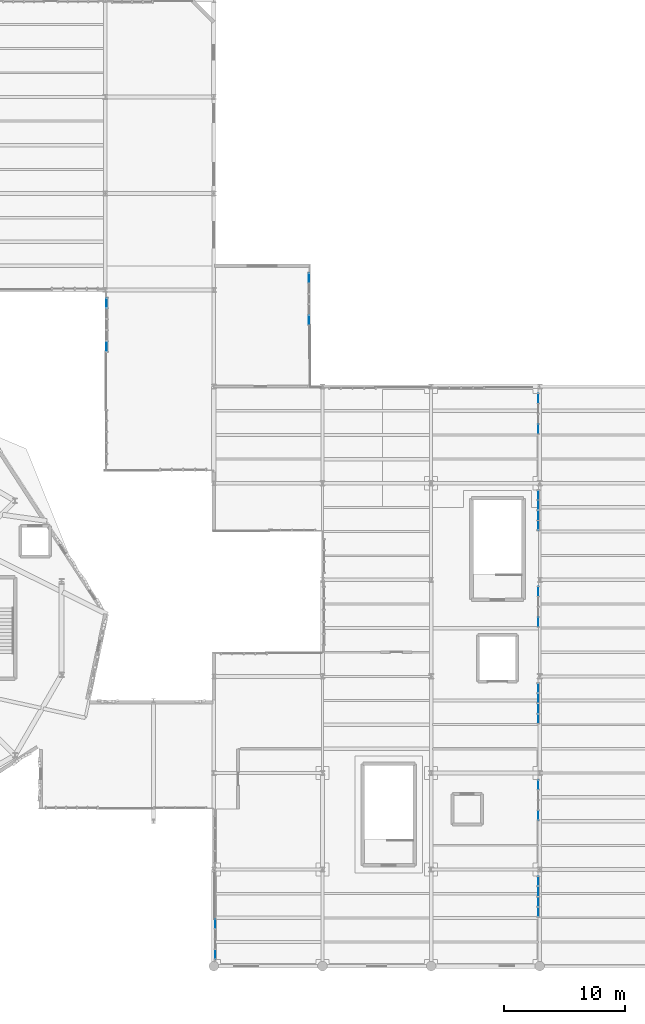
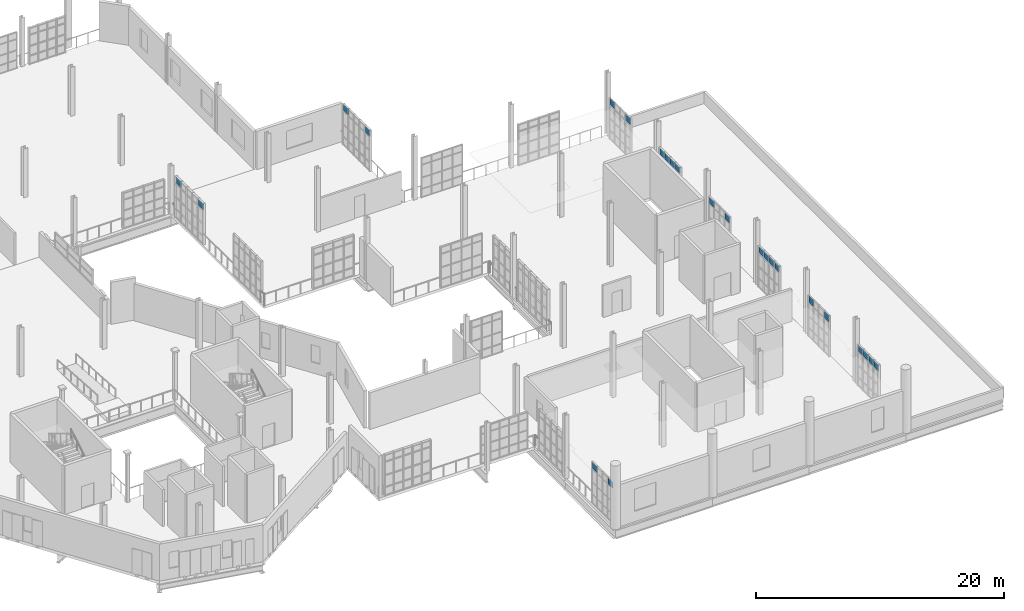
# One storey, part 101 of 118: 24 plates, 9 elements without a shape of their own.
"""IFC4 building model written with IfcOpenShell, lengths in metres."""

import ifcopenshell
import ifcopenshell.guid

model = None  # the IFC model being written
_history = None  # IfcOwnerHistory: only IFC2X3 demands one
_inside = {}  # id of a spatial element -> (the spatial element, [elements in it])
_under = {}  # id of a project, library or spatial element -> (it, [spatial elements below it])
_declared = {}  # id of a project -> (the project, [libraries it declares])
_typed = {}  # id of a type object -> (the type object, [elements of that type])
_made_of = {}  # id of a material, layer set ... -> (it, [elements and type objects made of it])


def new_model(schema):
    """Start an empty IFC model of exactly this schema.

    Asked for "IFC4X3", IfcOpenShell would pick the latest addendum, in which some entities
    have other attributes; the version numbers below select the first issue.
    IFC2X3 requires an IfcOwnerHistory on every rooted entity: one is made here for all.
    """
    global model, _history
    if schema == "IFC4X3":
        model = ifcopenshell.file(schema_version=(4, 3, 0, 0))
    else:
        model = ifcopenshell.file(schema=schema)
    _inside.clear()
    _under.clear()
    _declared.clear()
    _typed.clear()
    _made_of.clear()
    _history = None
    if model.schema == "IFC2X3":
        org = make("IfcOrganization", Name="unknown")
        user = make(
            "IfcPersonAndOrganization",
            ThePerson=make("IfcPerson", FamilyName="unknown"),
            TheOrganization=org,
        )
        app = make(
            "IfcApplication",
            ApplicationDeveloper=org,
            Version="unknown",
            ApplicationFullName="unknown",
            ApplicationIdentifier="unknown",
        )
        _history = make(
            "IfcOwnerHistory",
            OwningUser=user,
            OwningApplication=app,
            ChangeAction="ADDED",
            CreationDate=0,
        )
    return model


def make(cls, **values):
    """One entity of the class cls with the attributes given. An attribute that is None is left unset."""
    return model.create_entity(
        cls, **{name: value for name, value in values.items() if value is not None}
    )


def rooted(cls, **values):
    """An entity with a GlobalId (a new one), such as an element, a storey or a relation."""
    return make(cls, GlobalId=ifcopenshell.guid.new(), OwnerHistory=_history, **values)


def si_unit(unit_type, name, prefix=None):
    """IfcSIUnit, for example si_unit("LENGTHUNIT", "METRE", prefix="MILLI")."""
    return make("IfcSIUnit", UnitType=unit_type, Prefix=prefix, Name=name)


def assignment(units):
    """IfcUnitAssignment: the units of a project."""
    return None if units is None else make("IfcUnitAssignment", Units=units)


def point(xyz):
    """IfcCartesianPoint."""
    return None if xyz is None else make("IfcCartesianPoint", Coordinates=xyz)


def direction(xyz):
    """IfcDirection."""
    return None if xyz is None else make("IfcDirection", DirectionRatios=xyz)


def frame(location, z_axis=None, x_axis=None):
    """IfcAxis2Placement3D, a coordinate frame: its origin and axes. An axis left out is left unset."""
    return make(
        "IfcAxis2Placement3D",
        Location=point(location),
        Axis=direction(z_axis),
        RefDirection=direction(x_axis),
    )


def frame_2d(location, x_axis=None):
    """IfcAxis2Placement2D, a coordinate frame in the plane: its origin and x axis."""
    return make(
        "IfcAxis2Placement2D", Location=point(location), RefDirection=direction(x_axis)
    )


def origin():
    """The frame at (0, 0, 0) with its axes left unset."""
    return frame((0.0, 0.0, 0.0))


def origin_2d():
    """The frame at (0, 0) in the plane with its x axis left unset."""
    return frame_2d((0.0, 0.0))


def place(relative_to, where):
    """IfcLocalPlacement: puts the frame where relative to a parent placement (None: the world)."""
    return make(
        "IfcLocalPlacement", PlacementRelTo=relative_to, RelativePlacement=where
    )


def context(
    kind, dimensions, precision=None, world=None, true_north=None, identifier=None
):
    """IfcGeometricRepresentationContext, for example the 3D "Model" context."""
    return make(
        "IfcGeometricRepresentationContext",
        ContextIdentifier=identifier,
        ContextType=kind,
        CoordinateSpaceDimension=dimensions,
        Precision=precision,
        WorldCoordinateSystem=world,
        TrueNorth=true_north,
    )


def subcontext(parent, identifier, kind, view, scale=None):
    """IfcGeometricRepresentationSubContext, for example "Body" below "Model"."""
    return make(
        "IfcGeometricRepresentationSubContext",
        ContextIdentifier=identifier,
        ContextType=kind,
        ParentContext=parent,
        TargetScale=scale,
        TargetView=view,
    )


def project(units=None, contexts=None):
    """IfcProject with its units and contexts."""
    return rooted(
        "IfcProject",
        Name="project",
        RepresentationContexts=contexts,
        UnitsInContext=assignment(units),
    )


def spatial(cls, under=None, at=None, **own):
    """A site, building, storey or space (cls), placed at a placement, below another one or the project."""
    s = rooted(cls, ObjectPlacement=at, **own)
    if under is not None:
        _under.setdefault(under.id(), (under, []))[1].append(s)
    return s


def profile(cls, at=None, kind="AREA", **sizes):
    """A parametric profile (cls). Its sizes go by their IFC names, for example OverallWidth=200.0."""
    return make(cls, ProfileType=kind, Position=at, **sizes)


def rectangle(**sizes):
    """IfcRectangleProfileDef."""
    return profile("IfcRectangleProfileDef", **sizes)


def extrude(swept, where, along, depth):
    """IfcExtrudedAreaSolid: the profile swept, set in the frame where, extruded along a direction by depth."""
    return make(
        "IfcExtrudedAreaSolid",
        SweptArea=swept,
        Position=where,
        ExtrudedDirection=direction(along),
        Depth=depth,
    )


def shape(context_of_items, identifier, shape_type, items):
    """IfcShapeRepresentation: the items that make up one representation, for example the "Body"."""
    return make(
        "IfcShapeRepresentation",
        ContextOfItems=context_of_items,
        RepresentationIdentifier=identifier,
        RepresentationType=shape_type,
        Items=items,
    )


def material(Name=None, Category=None):
    """IfcMaterial."""
    return make("IfcMaterial", Name=Name, Category=Category)


def layer(
    of_material, thickness, ventilated=None, Name=None, Category=None, Priority=None
):
    """IfcMaterialLayer: one layer of a wall or slab, of a material (None: an air gap)."""
    return make(
        "IfcMaterialLayer",
        Material=of_material,
        LayerThickness=thickness,
        IsVentilated=ventilated,
        Name=Name,
        Category=Category,
        Priority=Priority,
    )


def layer_set(layers, Name=None):
    """IfcMaterialLayerSet."""
    return make("IfcMaterialLayerSet", MaterialLayers=layers, LayerSetName=Name)


def made_of(thing, what):
    """Note that an element or type object is made of a material, layer set ...; save() writes the relation."""
    if what is not None:
        _made_of.setdefault(what.id(), (what, []))[1].append(thing)
    return thing


def type_object(cls, material=None, **own):
    """A type object (cls), such as IfcWallType, which elements share."""
    return made_of(rooted(cls, **own), material)


def element(
    cls,
    number,
    at=None,
    inside=None,
    cuts=None,
    type_object=None,
    material=None,
    context=None,
    identifier="Body",
    shape_type=None,
    held_by="IfcProductDefinitionShape",
    body=None,
    shapes=None,
    **own,
):
    """One element of the class cls, such as IfcWall. Its Tag is "e" and its number.

    at: its placement. inside: the storey or other place that contains it. cuts: it is an
    opening in that element (IfcRelVoidsElement). A single representation is given by context,
    identifier, shape_type and body (its items); several are given by shapes. held_by: the class
    of the entity that holds the representations. save() writes the other relations.
    """
    e = rooted(cls, Tag="e%d" % number, ObjectPlacement=at, **own)
    if body is not None:
        shapes = [shape(context, identifier, shape_type, body)]
    if shapes is not None:
        e.Representation = make(held_by, Representations=shapes)
    if inside is not None:
        _inside.setdefault(inside.id(), (inside, []))[1].append(e)
    if cuts is not None:
        rooted(
            "IfcRelVoidsElement", RelatingBuildingElement=cuts, RelatedOpeningElement=e
        )
    if type_object is not None:
        _typed.setdefault(type_object.id(), (type_object, []))[1].append(e)
    return made_of(e, material)


def aggregate(whole, parts):
    """IfcRelAggregates: a whole, such as a stair, and the parts it consists of."""
    return rooted("IfcRelAggregates", RelatingObject=whole, RelatedObjects=parts)


def save(model, path):
    """Write the relations noted so far, then the file.

    IfcRelAggregates (storeys below a building ...), IfcRelContainedInSpatialStructure (elements
    in a storey), IfcRelDefinesByType, IfcRelAssociatesMaterial and IfcRelDeclares: one each for
    every whole, place, type object, material and project.
    """
    for whole, parts in _under.values():
        aggregate(whole, parts)
    for where, things in _inside.values():
        rooted(
            "IfcRelContainedInSpatialStructure",
            RelatedElements=things,
            RelatingStructure=where,
        )
    for kind, things in _typed.values():
        rooted("IfcRelDefinesByType", RelatedObjects=things, RelatingType=kind)
    for what, things in _made_of.values():
        rooted("IfcRelAssociatesMaterial", RelatedObjects=things, RelatingMaterial=what)
    for by, libraries in _declared.values():
        rooted("IfcRelDeclares", RelatingContext=by, RelatedDefinitions=libraries)
    model.write(path)


model = new_model("IFC4")

# Units and contexts
model_context = context("Model", 3, precision=1e-05, world=origin(), true_north=direction((0.0, 1.0)))
body_context = subcontext(model_context, "Body", "Model", "MODEL_VIEW")
ifc_project = project(units=[si_unit("LENGTHUNIT", "METRE"), si_unit("AREAUNIT", "SQUARE_METRE"), si_unit("VOLUMEUNIT", "CUBIC_METRE"), si_unit("PLANEANGLEUNIT", "RADIAN"), si_unit("MASSUNIT", "GRAM", prefix="KILO"), si_unit("THERMODYNAMICTEMPERATUREUNIT", "KELVIN"), si_unit("POWERUNIT", "WATT")], contexts=[model_context])

# Site, building, storey
site_placement = place(None, origin())
site = spatial("IfcSite", under=ifc_project, at=site_placement, CompositionType="ELEMENT")
building_placement = place(site_placement, origin())
building = spatial("IfcBuilding", under=site, at=building_placement, Name="Zelmaris Science Centre", CompositionType="ELEMENT")
storey_placement = place(building_placement, frame((0.0, 0.0, 15.60009765625)))
storey = spatial("IfcBuildingStorey", under=building, at=storey_placement, Name="L03", CompositionType="ELEMENT", Elevation=15.60009765625)

# Curtain wall, plates
ifc_material_1 = material(Name="Anodised architectural aluminium 6063-T6", Category="aluminium")
ifc_layer_1 = layer(ifc_material_1, 0.18994140625, Name="Anodised architectural aluminium 6063-T6")
ifc_layer_set_1 = layer_set([ifc_layer_1], Name="Anodised architectural aluminium 6063-T6")
curtain_wall_type_1 = type_object("IfcCurtainWallType", Name="Curtain Wall CW-01", PredefinedType="USERDEFINED", material=ifc_layer_set_1)
curtain_wall_1_placement = place(storey_placement, origin())
curtain_wall_1 = element("IfcCurtainWall", 1, at=curtain_wall_1_placement, inside=storey, type_object=curtain_wall_type_1, Name="L03 Unitised curtain wall 333", ObjectType="GLAZED CURTAIN WALL", PredefinedType="USERDEFINED")
ifc_material_2 = material(Name="Laminated hurricane-rated low-E insulated glazing", Category="glass")
ifc_layer_2 = layer(ifc_material_2, 0.031982421875, Name="Laminated hurricane-rated low-E insulated glazing")
ifc_layer_set_2 = layer_set([ifc_layer_2], Name="Laminated hurricane-rated low-E insulated glazing")
plate_type_1 = type_object("IfcPlateType", Name="Curtain Glazing Panel CWP-1 32mm", PredefinedType="CURTAIN_PANEL", material=ifc_layer_set_2)
plate_1_placement = place(storey_placement, frame((99.1201171875, 59.33203125, 3.36572265625), z_axis=(0.0, 0.0, 1.0), x_axis=(0.0, 1.0, 0.0)))
plate_1 = element("IfcPlate", 2, at=plate_1_placement, type_object=plate_type_1, Name="CW-01 panel 1.4", PredefinedType="CURTAIN_PANEL", context=body_context, shape_type="SweptSolid", body=[
    extrude(rectangle(XDim=0.800048828125, YDim=0.031982421875, at=origin_2d()), origin(), (0.0, 0.0, 1.0), 0.592041015625),
])
plate_2_placement = place(storey_placement, frame((99.1201171875, 62.927978515625, 3.36572265625), z_axis=(0.0, 0.0, 1.0), x_axis=(0.0, 1.0, 0.0)))
plate_2 = element("IfcPlate", 3, at=plate_2_placement, type_object=plate_type_1, Name="CW-01 panel 5.4", PredefinedType="CURTAIN_PANEL", context=body_context, shape_type="SweptSolid", body=[
    extrude(rectangle(XDim=0.800048828125, YDim=0.031982421875, at=origin_2d()), origin(), (0.0, 0.0, 1.0), 0.592041015625),
])
aggregate(curtain_wall_1, [plate_1, plate_2])

ifc_layer_3 = layer(ifc_material_1, 0.199951171875, Name="Anodised architectural aluminium 6063-T6")
ifc_layer_set_3 = layer_set([ifc_layer_3], Name="Anodised architectural aluminium 6063-T6")
curtain_wall_type_2 = type_object("IfcCurtainWallType", Name="Curtain Wall CW-02", PredefinedType="USERDEFINED", material=ifc_layer_set_3)
curtain_wall_2_placement = place(storey_placement, origin())
curtain_wall_2 = element("IfcCurtainWall", 4, at=curtain_wall_2_placement, inside=storey, type_object=curtain_wall_type_2, Name="L03 Unitised curtain wall 290", ObjectType="GLAZED CURTAIN WALL", PredefinedType="USERDEFINED")
ifc_layer_4 = layer(ifc_material_2, 0.028076171875, Name="Laminated hurricane-rated low-E insulated glazing")
ifc_layer_set_4 = layer_set([ifc_layer_4], Name="Laminated hurricane-rated low-E insulated glazing")
plate_type_2 = type_object("IfcPlateType", Name="Curtain Glazing Panel CWP-2 28mm", PredefinedType="CURTAIN_PANEL", material=ifc_layer_set_4)
plate_3_placement = place(storey_placement, frame((115.88134765625, 65.004150390625, 3.36328125), z_axis=(0.0, 0.0, 1.0), x_axis=(0.001367052727, -0.999999065583, 0.0)))
plate_3 = element("IfcPlate", 5, at=plate_3_placement, type_object=plate_type_2, Name="CW-02 panel 1.4", PredefinedType="CURTAIN_PANEL", context=body_context, shape_type="SweptSolid", body=[
    extrude(rectangle(XDim=0.77734375, YDim=0.028076171875, at=origin_2d()), origin(), (0.0, 0.0, 1.0), 0.599609375),
])
plate_4_placement = place(storey_placement, frame((115.885986328125, 61.5263671875, 3.36328125), z_axis=(0.0, 0.0, 1.0), x_axis=(0.001367052727, -0.999999065583, 0.0)))
plate_4 = element("IfcPlate", 6, at=plate_4_placement, type_object=plate_type_2, Name="CW-02 panel 5.4", PredefinedType="CURTAIN_PANEL", context=body_context, shape_type="SweptSolid", body=[
    extrude(rectangle(XDim=0.77734375, YDim=0.028076171875, at=origin_2d()), origin(), (0.0, 0.0, 1.0), 0.599609375),
])
aggregate(curtain_wall_2, [plate_3, plate_4])

curtain_wall_3_placement = place(storey_placement, origin())
curtain_wall_3 = element("IfcCurtainWall", 7, at=curtain_wall_3_placement, inside=storey, type_object=curtain_wall_type_2, Name="L03 Unitised curtain wall 298", ObjectType="GLAZED CURTAIN WALL", PredefinedType="USERDEFINED")
plate_5_placement = place(storey_placement, frame((134.8798828125, 47.018310546875, 3.36328125), z_axis=(0.0, 0.0, 1.0), x_axis=(0.0, -1.0, 0.0)))
plate_5 = element("IfcPlate", 8, at=plate_5_placement, type_object=plate_type_2, Name="CW-02 panel 1.4", PredefinedType="CURTAIN_PANEL", context=body_context, shape_type="SweptSolid", body=[
    extrude(rectangle(XDim=0.74951171875, YDim=0.028076171875, at=origin_2d()), origin(), (0.0, 0.0, 1.0), 0.599609375),
])
plate_6_placement = place(storey_placement, frame((134.8798828125, 46.18505859375, 3.36328125), z_axis=(0.0, 0.0, 1.0), x_axis=(0.0, -1.0, 0.0)))
plate_6 = element("IfcPlate", 9, at=plate_6_placement, type_object=plate_type_2, Name="CW-02 panel 2.4", PredefinedType="CURTAIN_PANEL", context=body_context, shape_type="SweptSolid", body=[
    extrude(rectangle(XDim=0.782958984375, YDim=0.028076171875, at=origin_2d()), origin(), (0.0, 0.0, 1.0), 0.599609375),
])
plate_7_placement = place(storey_placement, frame((134.8798828125, 45.3349609375, 3.36328125), z_axis=(0.0, 0.0, 1.0), x_axis=(0.0, -1.0, 0.0)))
plate_7 = element("IfcPlate", 10, at=plate_7_placement, type_object=plate_type_2, Name="CW-02 panel 3.4", PredefinedType="CURTAIN_PANEL", context=body_context, shape_type="SweptSolid", body=[
    extrude(rectangle(XDim=0.782958984375, YDim=0.028076171875, at=origin_2d()), origin(), (0.0, 0.0, 1.0), 0.599609375),
])
plate_8_placement = place(storey_placement, frame((134.8798828125, 44.501708984375, 3.36328125), z_axis=(0.0, 0.0, 1.0), x_axis=(0.0, -1.0, 0.0)))
plate_8 = element("IfcPlate", 11, at=plate_8_placement, type_object=plate_type_2, Name="CW-02 panel 4.4", PredefinedType="CURTAIN_PANEL", context=body_context, shape_type="SweptSolid", body=[
    extrude(rectangle(XDim=0.74951171875, YDim=0.028076171875, at=origin_2d()), origin(), (0.0, 0.0, 1.0), 0.599609375),
])
aggregate(curtain_wall_3, [plate_5, plate_6, plate_7, plate_8])

curtain_wall_4_placement = place(storey_placement, origin())
curtain_wall_4 = element("IfcCurtainWall", 12, at=curtain_wall_4_placement, inside=storey, type_object=curtain_wall_type_2, Name="L03 Unitised curtain wall 302", ObjectType="GLAZED CURTAIN WALL", PredefinedType="USERDEFINED")
plate_9_placement = place(storey_placement, frame((134.8798828125, 31.018310546875, 3.36328125), z_axis=(0.0, 0.0, 1.0), x_axis=(0.0, -1.0, 0.0)))
plate_9 = element("IfcPlate", 13, at=plate_9_placement, type_object=plate_type_2, Name="CW-02 panel 1.4", PredefinedType="CURTAIN_PANEL", context=body_context, shape_type="SweptSolid", body=[
    extrude(rectangle(XDim=0.74951171875, YDim=0.028076171875, at=origin_2d()), origin(), (0.0, 0.0, 1.0), 0.599609375),
])
plate_10_placement = place(storey_placement, frame((134.8798828125, 30.18505859375, 3.36328125), z_axis=(0.0, 0.0, 1.0), x_axis=(0.0, -1.0, 0.0)))
plate_10 = element("IfcPlate", 14, at=plate_10_placement, type_object=plate_type_2, Name="CW-02 panel 2.4", PredefinedType="CURTAIN_PANEL", context=body_context, shape_type="SweptSolid", body=[
    extrude(rectangle(XDim=0.782958984375, YDim=0.028076171875, at=origin_2d()), origin(), (0.0, 0.0, 1.0), 0.599609375),
])
plate_11_placement = place(storey_placement, frame((134.8798828125, 29.3349609375, 3.36328125), z_axis=(0.0, 0.0, 1.0), x_axis=(0.0, -1.0, 0.0)))
plate_11 = element("IfcPlate", 15, at=plate_11_placement, type_object=plate_type_2, Name="CW-02 panel 3.4", PredefinedType="CURTAIN_PANEL", context=body_context, shape_type="SweptSolid", body=[
    extrude(rectangle(XDim=0.782958984375, YDim=0.028076171875, at=origin_2d()), origin(), (0.0, 0.0, 1.0), 0.599609375),
])
plate_12_placement = place(storey_placement, frame((134.8798828125, 28.501708984375, 3.36328125), z_axis=(0.0, 0.0, 1.0), x_axis=(0.0, -1.0, 0.0)))
plate_12 = element("IfcPlate", 16, at=plate_12_placement, type_object=plate_type_2, Name="CW-02 panel 4.4", PredefinedType="CURTAIN_PANEL", context=body_context, shape_type="SweptSolid", body=[
    extrude(rectangle(XDim=0.74951171875, YDim=0.028076171875, at=origin_2d()), origin(), (0.0, 0.0, 1.0), 0.599609375),
])
aggregate(curtain_wall_4, [plate_9, plate_10, plate_11, plate_12])

curtain_wall_5_placement = place(storey_placement, origin())
curtain_wall_5 = element("IfcCurtainWall", 17, at=curtain_wall_5_placement, inside=storey, type_object=curtain_wall_type_2, Name="L03 Unitised curtain wall 306", ObjectType="GLAZED CURTAIN WALL", PredefinedType="USERDEFINED")
plate_13_placement = place(storey_placement, frame((134.8798828125, 15.018310546875, 3.36328125), z_axis=(0.0, 0.0, 1.0), x_axis=(0.0, -1.0, 0.0)))
plate_13 = element("IfcPlate", 18, at=plate_13_placement, type_object=plate_type_2, Name="CW-02 panel 1.4", PredefinedType="CURTAIN_PANEL", context=body_context, shape_type="SweptSolid", body=[
    extrude(rectangle(XDim=0.74951171875, YDim=0.028076171875, at=origin_2d()), origin(), (0.0, 0.0, 1.0), 0.599609375),
])
plate_14_placement = place(storey_placement, frame((134.8798828125, 14.18505859375, 3.36328125), z_axis=(0.0, 0.0, 1.0), x_axis=(0.0, -1.0, 0.0)))
plate_14 = element("IfcPlate", 19, at=plate_14_placement, type_object=plate_type_2, Name="CW-02 panel 2.4", PredefinedType="CURTAIN_PANEL", context=body_context, shape_type="SweptSolid", body=[
    extrude(rectangle(XDim=0.782958984375, YDim=0.028076171875, at=origin_2d()), origin(), (0.0, 0.0, 1.0), 0.599609375),
])
plate_15_placement = place(storey_placement, frame((134.8798828125, 13.3349609375, 3.36328125), z_axis=(0.0, 0.0, 1.0), x_axis=(0.0, -1.0, 0.0)))
plate_15 = element("IfcPlate", 20, at=plate_15_placement, type_object=plate_type_2, Name="CW-02 panel 3.4", PredefinedType="CURTAIN_PANEL", context=body_context, shape_type="SweptSolid", body=[
    extrude(rectangle(XDim=0.782958984375, YDim=0.028076171875, at=origin_2d()), origin(), (0.0, 0.0, 1.0), 0.599609375),
])
plate_16_placement = place(storey_placement, frame((134.8798828125, 12.501708984375, 3.36328125), z_axis=(0.0, 0.0, 1.0), x_axis=(0.0, -1.0, 0.0)))
plate_16 = element("IfcPlate", 21, at=plate_16_placement, type_object=plate_type_2, Name="CW-02 panel 4.4", PredefinedType="CURTAIN_PANEL", context=body_context, shape_type="SweptSolid", body=[
    extrude(rectangle(XDim=0.74951171875, YDim=0.028076171875, at=origin_2d()), origin(), (0.0, 0.0, 1.0), 0.599609375),
])
aggregate(curtain_wall_5, [plate_13, plate_14, plate_15, plate_16])

ifc_layer_5 = layer(ifc_material_1, 0.219970703125, Name="Anodised architectural aluminium 6063-T6")
ifc_layer_set_5 = layer_set([ifc_layer_5], Name="Anodised architectural aluminium 6063-T6")
curtain_wall_type_3 = type_object("IfcCurtainWallType", Name="Curtain Wall CW-04", PredefinedType="USERDEFINED", material=ifc_layer_set_5)
curtain_wall_6_placement = place(storey_placement, origin())
curtain_wall_6 = element("IfcCurtainWall", 22, at=curtain_wall_6_placement, inside=storey, type_object=curtain_wall_type_3, Name="L03 Unitised curtain wall 296", ObjectType="GLAZED CURTAIN WALL", PredefinedType="USERDEFINED")
ifc_layer_6 = layer(ifc_material_2, 0.02392578125, Name="Laminated hurricane-rated low-E insulated glazing")
ifc_layer_set_6 = layer_set([ifc_layer_6], Name="Laminated hurricane-rated low-E insulated glazing")
plate_type_3 = type_object("IfcPlateType", Name="Curtain Glazing Panel CWP-4 24mm", PredefinedType="CURTAIN_PANEL", material=ifc_layer_set_6)
plate_17_placement = place(storey_placement, frame((134.8798828125, 55.02197265625, 3.35595703125), z_axis=(0.0, 0.0, 1.0), x_axis=(0.0, -1.0, 0.0)))
plate_17 = element("IfcPlate", 23, at=plate_17_placement, type_object=plate_type_3, Name="CW-04 panel 1.4", PredefinedType="CURTAIN_PANEL", context=body_context, shape_type="SweptSolid", body=[
    extrude(rectangle(XDim=0.77197265625, YDim=0.02392578125, at=origin_2d()), origin(), (0.0, 0.0, 1.0), 0.6220703125),
])
plate_18_placement = place(storey_placement, frame((134.8798828125, 52.498046875, 3.35595703125), z_axis=(0.0, 0.0, 1.0), x_axis=(0.0, -1.0, 0.0)))
plate_18 = element("IfcPlate", 24, at=plate_18_placement, type_object=plate_type_3, Name="CW-04 panel 4.4", PredefinedType="CURTAIN_PANEL", context=body_context, shape_type="SweptSolid", body=[
    extrude(rectangle(XDim=0.77197265625, YDim=0.02392578125, at=origin_2d()), origin(), (0.0, 0.0, 1.0), 0.6220703125),
])
aggregate(curtain_wall_6, [plate_17, plate_18])

curtain_wall_7_placement = place(storey_placement, origin())
curtain_wall_7 = element("IfcCurtainWall", 25, at=curtain_wall_7_placement, inside=storey, type_object=curtain_wall_type_3, Name="L03 Unitised curtain wall 300", ObjectType="GLAZED CURTAIN WALL", PredefinedType="USERDEFINED")
plate_19_placement = place(storey_placement, frame((134.8798828125, 39.02197265625, 3.35595703125), z_axis=(0.0, 0.0, 1.0), x_axis=(0.0, -1.0, 0.0)))
plate_19 = element("IfcPlate", 26, at=plate_19_placement, type_object=plate_type_3, Name="CW-04 panel 1.4", PredefinedType="CURTAIN_PANEL", context=body_context, shape_type="SweptSolid", body=[
    extrude(rectangle(XDim=0.77197265625, YDim=0.02392578125, at=origin_2d()), origin(), (0.0, 0.0, 1.0), 0.6220703125),
])
plate_20_placement = place(storey_placement, frame((134.8798828125, 36.498046875, 3.35595703125), z_axis=(0.0, 0.0, 1.0), x_axis=(0.0, -1.0, 0.0)))
plate_20 = element("IfcPlate", 27, at=plate_20_placement, type_object=plate_type_3, Name="CW-04 panel 4.4", PredefinedType="CURTAIN_PANEL", context=body_context, shape_type="SweptSolid", body=[
    extrude(rectangle(XDim=0.77197265625, YDim=0.02392578125, at=origin_2d()), origin(), (0.0, 0.0, 1.0), 0.6220703125),
])
aggregate(curtain_wall_7, [plate_19, plate_20])

curtain_wall_8_placement = place(storey_placement, origin())
curtain_wall_8 = element("IfcCurtainWall", 28, at=curtain_wall_8_placement, inside=storey, type_object=curtain_wall_type_3, Name="L03 Unitised curtain wall 304", ObjectType="GLAZED CURTAIN WALL", PredefinedType="USERDEFINED")
plate_21_placement = place(storey_placement, frame((134.8798828125, 23.02197265625, 3.35595703125), z_axis=(0.0, 0.0, 1.0), x_axis=(0.0, -1.0, 0.0)))
plate_21 = element("IfcPlate", 29, at=plate_21_placement, type_object=plate_type_3, Name="CW-04 panel 1.4", PredefinedType="CURTAIN_PANEL", context=body_context, shape_type="SweptSolid", body=[
    extrude(rectangle(XDim=0.77197265625, YDim=0.02392578125, at=origin_2d()), origin(), (0.0, 0.0, 1.0), 0.6220703125),
])
plate_22_placement = place(storey_placement, frame((134.8798828125, 20.498046875, 3.35595703125), z_axis=(0.0, 0.0, 1.0), x_axis=(0.0, -1.0, 0.0)))
plate_22 = element("IfcPlate", 30, at=plate_22_placement, type_object=plate_type_3, Name="CW-04 panel 4.4", PredefinedType="CURTAIN_PANEL", context=body_context, shape_type="SweptSolid", body=[
    extrude(rectangle(XDim=0.77197265625, YDim=0.02392578125, at=origin_2d()), origin(), (0.0, 0.0, 1.0), 0.6220703125),
])
aggregate(curtain_wall_8, [plate_21, plate_22])

curtain_wall_9_placement = place(storey_placement, origin())
curtain_wall_9 = element("IfcCurtainWall", 31, at=curtain_wall_9_placement, inside=storey, type_object=curtain_wall_type_3, Name="L03 Unitised curtain wall 308", ObjectType="GLAZED CURTAIN WALL", PredefinedType="USERDEFINED")
plate_23_placement = place(storey_placement, frame((108.119140625, 8.978271484375, 3.35595703125), z_axis=(0.0, 0.0, 1.0), x_axis=(-0.001058854076, 0.999999439414, 0.0)))
plate_23 = element("IfcPlate", 32, at=plate_23_placement, type_object=plate_type_3, Name="CW-04 panel 1.4", PredefinedType="CURTAIN_PANEL", context=body_context, shape_type="SweptSolid", body=[
    extrude(rectangle(XDim=0.77197265625, YDim=0.02392578125, at=origin_2d()), origin(), (0.0, 0.0, 1.0), 0.6220703125),
])
plate_24_placement = place(storey_placement, frame((108.116455078125, 11.502197265625, 3.35595703125), z_axis=(0.0, 0.0, 1.0), x_axis=(-0.001058854076, 0.999999439414, 0.0)))
plate_24 = element("IfcPlate", 33, at=plate_24_placement, type_object=plate_type_3, Name="CW-04 panel 4.4", PredefinedType="CURTAIN_PANEL", context=body_context, shape_type="SweptSolid", body=[
    extrude(rectangle(XDim=0.77197265625, YDim=0.02392578125, at=origin_2d()), origin(), (0.0, 0.0, 1.0), 0.6220703125),
])
aggregate(curtain_wall_9, [plate_23, plate_24])

save(model, "model.ifc")
